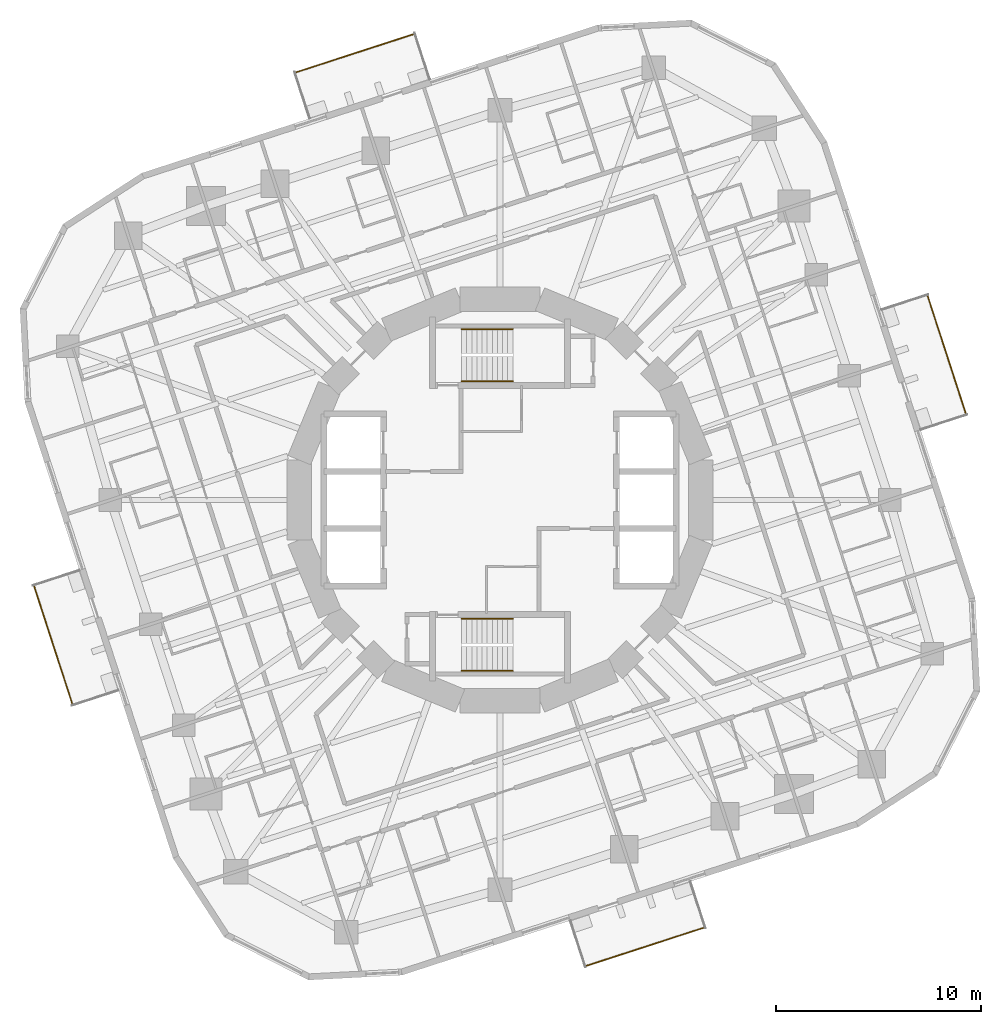
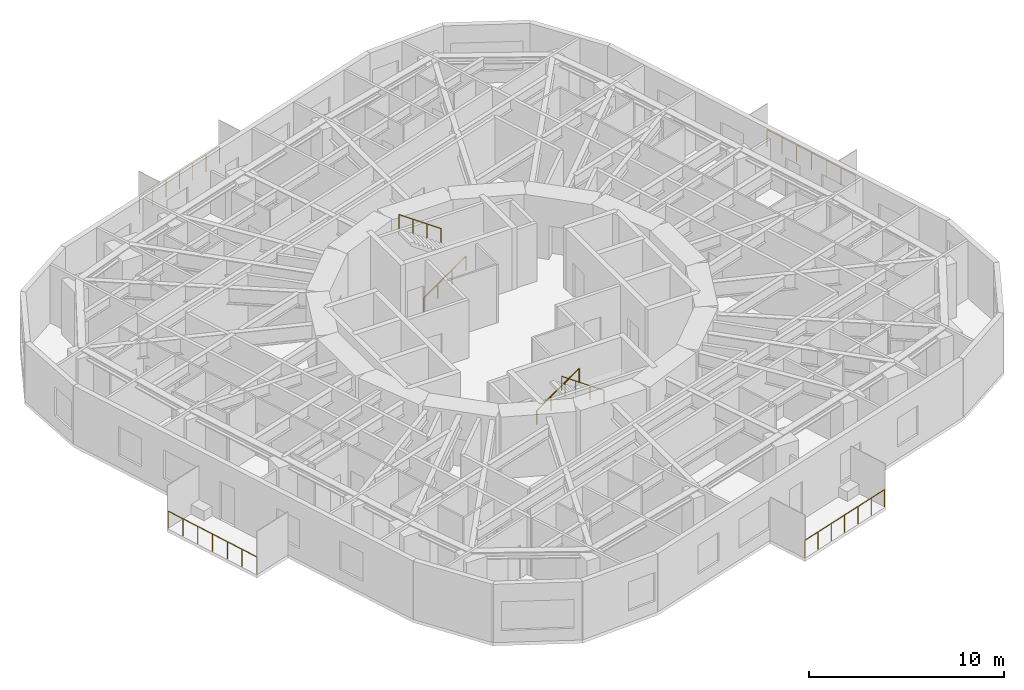
# One storey, part 11 of 12: 8 railings.
"""IFC4 building model written with IfcOpenShell, lengths in metres."""

from ifc_helpers import new_model, si_unit, direction, frame, origin, origin_2d, place, context, subcontext, project, spatial, circle, extrude, material, type_object, element, save


model = new_model("IFC4")

# Units and contexts
model_context = context("Model", 3, precision=1e-05, world=origin(), true_north=direction((0.0, 1.0)))
body_context = subcontext(model_context, "Body", "Model", "MODEL_VIEW")
ifc_project = project(units=[si_unit("LENGTHUNIT", "METRE"), si_unit("AREAUNIT", "SQUARE_METRE"), si_unit("VOLUMEUNIT", "CUBIC_METRE"), si_unit("PLANEANGLEUNIT", "RADIAN"), si_unit("MASSUNIT", "GRAM", prefix="KILO")], contexts=[model_context])

# Site, building, storey
site_placement = place(None, origin())
site = spatial("IfcSite", under=ifc_project, at=site_placement, CompositionType="ELEMENT")
building_placement = place(site_placement, origin())
building = spatial("IfcBuilding", under=site, at=building_placement, Name="Nakasero Lantern House", CompositionType="ELEMENT")
storey_placement = place(building_placement, frame((0.0, 0.0, 172.60009765625)))
storey = spatial("IfcBuildingStorey", under=building, at=storey_placement, Name="L42", CompositionType="ELEMENT", Elevation=172.60009765625)

# Railings
ifc_material_1 = material(Name="Aluminium 6063-T6", Category="aluminium")
railing_type_1 = type_object("IfcRailingType", Name="Balcony guard 1100", PredefinedType="BALUSTRADE", material=ifc_material_1)
railing_1_placement = place(storey_placement, frame((22.7724609375, 4.181640625, 0.0)))
element("IfcRailing", 1, at=railing_1_placement, inside=storey, type_object=railing_type_1, Name="Balcony guard L42 BAL0", PredefinedType="BALUSTRADE", context=body_context, shape_type="SweptSolid", body=[
    extrude(circle(Radius=0.02392578125, at=origin_2d()), frame((0.0, 0.0, 1.076171875), z_axis=(-0.309038265471, 0.951049604634, 0.0), x_axis=(-0.951049604634, -0.309038265471, 0.0)), (0.0, 0.0, 1.0), 6.1201171875),
    extrude(circle(Radius=0.02099609375, at=origin_2d()), origin(), (0.0, 0.0, 1.0), 1.052001953125),
    extrude(circle(Radius=0.02099609375, at=origin_2d()), frame((-0.315185546875, 0.97021484375, 0.0)), (0.0, 0.0, 1.0), 1.052001953125),
    extrude(circle(Radius=0.02099609375, at=origin_2d()), frame((-0.63037109375, 1.940185546875, 0.0)), (0.0, 0.0, 1.0), 1.052001953125),
    extrude(circle(Radius=0.02099609375, at=origin_2d()), frame((-0.94580078125, 2.91015625, 0.0)), (0.0, 0.0, 1.0), 1.052001953125),
    extrude(circle(Radius=0.02099609375, at=origin_2d()), frame((-1.260986328125, 3.88037109375, 0.0)), (0.0, 0.0, 1.0), 1.052001953125),
    extrude(circle(Radius=0.02099609375, at=origin_2d()), frame((-1.576171875, 4.8505859375, 0.0)), (0.0, 0.0, 1.0), 1.052001953125),
    extrude(circle(Radius=0.02099609375, at=origin_2d()), frame((-1.891357421875, 5.820556640625, 0.0)), (0.0, 0.0, 1.0), 1.052001953125),
])
railing_2_placement = place(storey_placement, frame((-4.181640625, 22.7724609375, 0.0)))
element("IfcRailing", 2, at=railing_2_placement, inside=storey, type_object=railing_type_1, Name="Balcony guard L42 BAL1", PredefinedType="BALUSTRADE", context=body_context, shape_type="SweptSolid", body=[
    extrude(circle(Radius=0.02392578125, at=origin_2d()), frame((0.0, 0.0, 1.076171875), z_axis=(-0.951049604634, -0.309038265471, 0.0), x_axis=(0.309038265471, -0.951049604634, 0.0)), (0.0, 0.0, 1.0), 6.1201171875),
    extrude(circle(Radius=0.02099609375, at=origin_2d()), origin(), (0.0, 0.0, 1.0), 1.052001953125),
    extrude(circle(Radius=0.02099609375, at=origin_2d()), frame((-0.97021484375, -0.315185546875, 0.0)), (0.0, 0.0, 1.0), 1.052001953125),
    extrude(circle(Radius=0.02099609375, at=origin_2d()), frame((-1.940185546875, -0.63037109375, 0.0)), (0.0, 0.0, 1.0), 1.052001953125),
    extrude(circle(Radius=0.02099609375, at=origin_2d()), frame((-2.91015625, -0.94580078125, 0.0)), (0.0, 0.0, 1.0), 1.052001953125),
    extrude(circle(Radius=0.02099609375, at=origin_2d()), frame((-3.88037109375, -1.260986328125, 0.0)), (0.0, 0.0, 1.0), 1.052001953125),
    extrude(circle(Radius=0.02099609375, at=origin_2d()), frame((-4.8505859375, -1.576171875, 0.0)), (0.0, 0.0, 1.0), 1.052001953125),
    extrude(circle(Radius=0.02099609375, at=origin_2d()), frame((-5.820556640625, -1.891357421875, 0.0)), (0.0, 0.0, 1.0), 1.052001953125),
])
railing_3_placement = place(storey_placement, frame((-22.7724609375, -4.181640625, 0.0)))
element("IfcRailing", 3, at=railing_3_placement, inside=storey, type_object=railing_type_1, Name="Balcony guard L42 BAL2", PredefinedType="BALUSTRADE", context=body_context, shape_type="SweptSolid", body=[
    extrude(circle(Radius=0.02392578125, at=origin_2d()), frame((0.0, 0.0, 1.076171875), z_axis=(0.309038265471, -0.951049604634, 0.0), x_axis=(0.951049604634, 0.309038265471, 0.0)), (0.0, 0.0, 1.0), 6.1201171875),
    extrude(circle(Radius=0.02099609375, at=origin_2d()), origin(), (0.0, 0.0, 1.0), 1.052001953125),
    extrude(circle(Radius=0.02099609375, at=origin_2d()), frame((0.315185546875, -0.97021484375, 0.0)), (0.0, 0.0, 1.0), 1.052001953125),
    extrude(circle(Radius=0.02099609375, at=origin_2d()), frame((0.63037109375, -1.940185546875, 0.0)), (0.0, 0.0, 1.0), 1.052001953125),
    extrude(circle(Radius=0.02099609375, at=origin_2d()), frame((0.94580078125, -2.91015625, 0.0)), (0.0, 0.0, 1.0), 1.052001953125),
    extrude(circle(Radius=0.02099609375, at=origin_2d()), frame((1.260986328125, -3.88037109375, 0.0)), (0.0, 0.0, 1.0), 1.052001953125),
    extrude(circle(Radius=0.02099609375, at=origin_2d()), frame((1.576171875, -4.8505859375, 0.0)), (0.0, 0.0, 1.0), 1.052001953125),
    extrude(circle(Radius=0.02099609375, at=origin_2d()), frame((1.891357421875, -5.820556640625, 0.0)), (0.0, 0.0, 1.0), 1.052001953125),
])
railing_4_placement = place(storey_placement, frame((4.181640625, -22.7724609375, 0.0)))
element("IfcRailing", 4, at=railing_4_placement, inside=storey, type_object=railing_type_1, Name="Balcony guard L42 BAL3", PredefinedType="BALUSTRADE", context=body_context, shape_type="SweptSolid", body=[
    extrude(circle(Radius=0.02392578125, at=origin_2d()), frame((0.0, 0.0, 1.076171875), z_axis=(0.951049604634, 0.309038265471, 0.0), x_axis=(-0.309038265471, 0.951049604634, 0.0)), (0.0, 0.0, 1.0), 6.1201171875),
    extrude(circle(Radius=0.02099609375, at=origin_2d()), origin(), (0.0, 0.0, 1.0), 1.052001953125),
    extrude(circle(Radius=0.02099609375, at=origin_2d()), frame((0.97021484375, 0.315185546875, 0.0)), (0.0, 0.0, 1.0), 1.052001953125),
    extrude(circle(Radius=0.02099609375, at=origin_2d()), frame((1.940185546875, 0.63037109375, 0.0)), (0.0, 0.0, 1.0), 1.052001953125),
    extrude(circle(Radius=0.02099609375, at=origin_2d()), frame((2.91015625, 0.94580078125, 0.0)), (0.0, 0.0, 1.0), 1.052001953125),
    extrude(circle(Radius=0.02099609375, at=origin_2d()), frame((3.88037109375, 1.260986328125, 0.0)), (0.0, 0.0, 1.0), 1.052001953125),
    extrude(circle(Radius=0.02099609375, at=origin_2d()), frame((4.8505859375, 1.576171875, 0.0)), (0.0, 0.0, 1.0), 1.052001953125),
    extrude(circle(Radius=0.02099609375, at=origin_2d()), frame((5.820556640625, 1.891357421875, 0.0)), (0.0, 0.0, 1.0), 1.052001953125),
])
ifc_material_2 = material(Name="Stainless steel 316", Category="steel")
railing_type_2 = type_object("IfcRailingType", Name="Stair handrail 900", PredefinedType="HANDRAIL", material=ifc_material_2)
railing_5_placement = place(storey_placement, frame((-1.875, 5.800048828125, 0.1748046875)))
element("IfcRailing", 5, at=railing_5_placement, inside=storey, type_object=railing_type_2, Name="Handrail ST1 L42 flight 1", PredefinedType="HANDRAIL", context=body_context, shape_type="SweptSolid", body=[
    extrude(circle(Radius=0.02392578125, at=origin_2d()), frame((0.0, 0.0, 0.8759765625), z_axis=(0.819231920519, 0.0, 0.573462344363), x_axis=(0.0, 1.0, 0.0)), (0.0, 0.0, 1.0), 3.0517578125),
    extrude(circle(Radius=0.02099609375, at=origin_2d()), origin(), (0.0, 0.0, 1.0), 0.851806640625),
    extrude(circle(Radius=0.02099609375, at=origin_2d()), frame((0.833251953125, 0.0, 0.583251953125)), (0.0, 0.0, 1.0), 0.851806640625),
    extrude(circle(Radius=0.02099609375, at=origin_2d()), frame((1.666748046875, 0.0, 1.166748046875)), (0.0, 0.0, 1.0), 0.851806640625),
    extrude(circle(Radius=0.02099609375, at=origin_2d()), frame((2.5, 0.0, 1.75)), (0.0, 0.0, 1.0), 0.851806640625),
])
railing_6_placement = place(storey_placement, frame((0.625, 8.35009765625, 2.099853515625)))
element("IfcRailing", 6, at=railing_6_placement, inside=storey, type_object=railing_type_2, Name="Handrail ST1 L42 flight 2", PredefinedType="HANDRAIL", context=body_context, shape_type="SweptSolid", body=[
    extrude(circle(Radius=0.02392578125, at=origin_2d()), frame((0.0, 0.0, 0.8759765625), z_axis=(-0.819231920519, 0.0, 0.573462344363), x_axis=(0.0, -1.0, 0.0)), (0.0, 0.0, 1.0), 3.0517578125),
    extrude(circle(Radius=0.02099609375, at=origin_2d()), origin(), (0.0, 0.0, 1.0), 0.851806640625),
    extrude(circle(Radius=0.02099609375, at=origin_2d()), frame((-0.833251953125, 0.0, 0.583251953125)), (0.0, 0.0, 1.0), 0.851806640625),
    extrude(circle(Radius=0.02099609375, at=origin_2d()), frame((-1.666748046875, 0.0, 1.166748046875)), (0.0, 0.0, 1.0), 0.851806640625),
    extrude(circle(Radius=0.02099609375, at=origin_2d()), frame((-2.5, 0.0, 1.75)), (0.0, 0.0, 1.0), 0.851806640625),
])
railing_7_placement = place(storey_placement, frame((-1.875, -5.800048828125, 0.1748046875)))
element("IfcRailing", 7, at=railing_7_placement, inside=storey, type_object=railing_type_2, Name="Handrail ST2 L42 flight 1", PredefinedType="HANDRAIL", context=body_context, shape_type="SweptSolid", body=[
    extrude(circle(Radius=0.02392578125, at=origin_2d()), frame((0.0, 0.0, 0.8759765625), z_axis=(0.819231920519, 0.0, 0.573462344363), x_axis=(0.0, 1.0, 0.0)), (0.0, 0.0, 1.0), 3.0517578125),
    extrude(circle(Radius=0.02099609375, at=origin_2d()), origin(), (0.0, 0.0, 1.0), 0.851806640625),
    extrude(circle(Radius=0.02099609375, at=origin_2d()), frame((0.833251953125, 0.0, 0.583251953125)), (0.0, 0.0, 1.0), 0.851806640625),
    extrude(circle(Radius=0.02099609375, at=origin_2d()), frame((1.666748046875, 0.0, 1.166748046875)), (0.0, 0.0, 1.0), 0.851806640625),
    extrude(circle(Radius=0.02099609375, at=origin_2d()), frame((2.5, 0.0, 1.75)), (0.0, 0.0, 1.0), 0.851806640625),
])
railing_8_placement = place(storey_placement, frame((0.625, -8.35009765625, 2.099853515625)))
element("IfcRailing", 8, at=railing_8_placement, inside=storey, type_object=railing_type_2, Name="Handrail ST2 L42 flight 2", PredefinedType="HANDRAIL", context=body_context, shape_type="SweptSolid", body=[
    extrude(circle(Radius=0.02392578125, at=origin_2d()), frame((0.0, 0.0, 0.8759765625), z_axis=(-0.819231920519, 0.0, 0.573462344363), x_axis=(0.0, -1.0, 0.0)), (0.0, 0.0, 1.0), 3.0517578125),
    extrude(circle(Radius=0.02099609375, at=origin_2d()), origin(), (0.0, 0.0, 1.0), 0.851806640625),
    extrude(circle(Radius=0.02099609375, at=origin_2d()), frame((-0.833251953125, 0.0, 0.583251953125)), (0.0, 0.0, 1.0), 0.851806640625),
    extrude(circle(Radius=0.02099609375, at=origin_2d()), frame((-1.666748046875, 0.0, 1.166748046875)), (0.0, 0.0, 1.0), 0.851806640625),
    extrude(circle(Radius=0.02099609375, at=origin_2d()), frame((-2.5, 0.0, 1.75)), (0.0, 0.0, 1.0), 0.851806640625),
])

save(model, "model.ifc")
